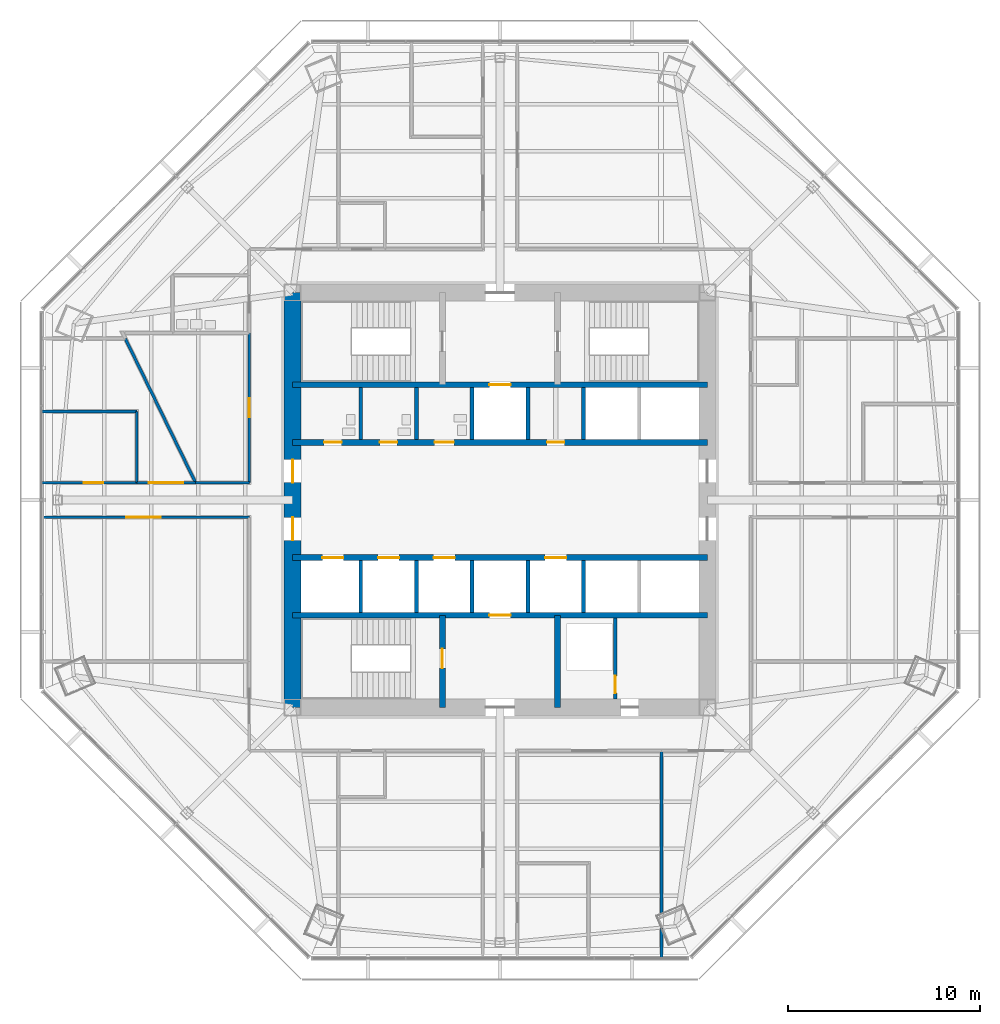
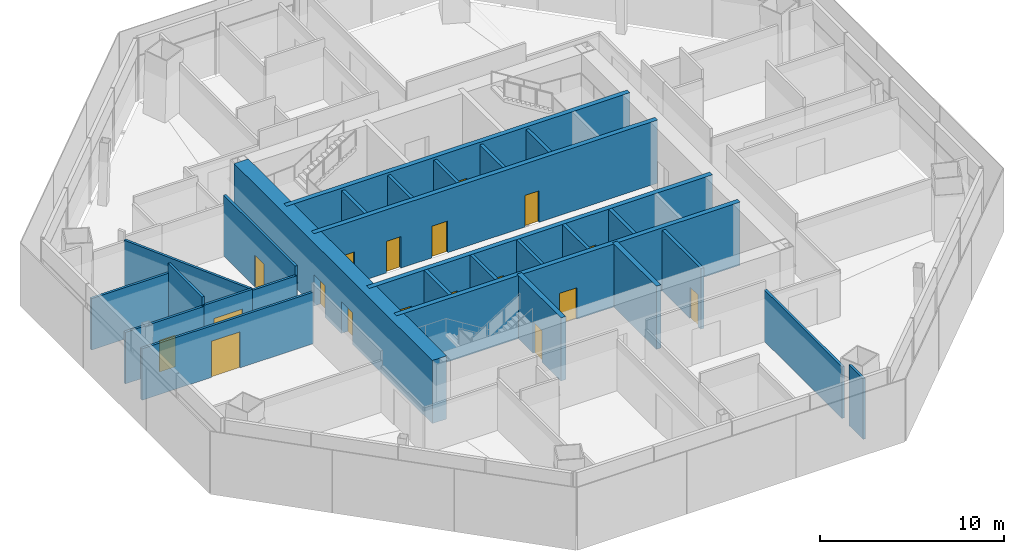
# One storey, part 9 of 14: 28 walls, 18 doors, 18 openings.
"""IFC4 building model written with IfcOpenShell, lengths in metres."""

from ifc_helpers import new_model, si_unit, direction, frame, frame_2d, origin, place, context, subcontext, project, spatial, rectangle, extrude, material, layer, layer_set, type_object, element, fill, save


model = new_model("IFC4")

# Units and contexts
model_context = context("Model", 3, precision=1e-05, world=origin(), true_north=direction((0.0, 1.0)))
body_context = subcontext(model_context, "Body", "Model", "MODEL_VIEW")
ifc_project = project(units=[si_unit("LENGTHUNIT", "METRE"), si_unit("AREAUNIT", "SQUARE_METRE"), si_unit("VOLUMEUNIT", "CUBIC_METRE"), si_unit("PLANEANGLEUNIT", "RADIAN"), si_unit("MASSUNIT", "GRAM", prefix="KILO")], contexts=[model_context])

# Site, building, storey
site_placement = place(None, origin())
site = spatial("IfcSite", under=ifc_project, at=site_placement, CompositionType="ELEMENT")
building_placement = place(site_placement, origin())
building = spatial("IfcBuilding", under=site, at=building_placement, Name="Mashrafa Tower", CompositionType="ELEMENT")
storey_placement = place(building_placement, frame((0.0, 0.0, 147.0)))
storey = spatial("IfcBuildingStorey", under=building, at=storey_placement, Name="L33", CompositionType="ELEMENT", Elevation=147.0)

# Wall, opening, door
ifc_material_1 = material(Name="Concrete masonry unit", Category="masonry")
ifc_layer_1 = layer(ifc_material_1, 0.199951171875)
ifc_layer_set_1 = layer_set([ifc_layer_1], Name="Blockwork wall 200 2 hr")
wall_type_1 = type_object("IfcWallType", Name="Blockwork wall 200 2 hr", PredefinedType="PARTITIONING", material=ifc_layer_set_1)
wall_1_placement = place(storey_placement, frame((6.0, -10.35009765625, 0.0), z_axis=(0.0, 0.0, 1.0), x_axis=(0.0, 1.0, 0.0)))
wall_1 = element("IfcWall", 1, at=wall_1_placement, inside=storey, type_object=wall_type_1, Name="Riser enclosure wall L33", PredefinedType="PARTITIONING", context=body_context, shape_type="SweptSolid", body=[
    extrude(rectangle(XDim=4.2001953125, YDim=0.199951171875, at=frame_2d((2.10009765625, 0.0))), origin(), (0.0, 0.0, 1.0), 4.034912109375),
])
opening_1_placement = place(wall_1_placement, frame((0.300048828125, 0.0, 0.0)))
opening_1 = element("IfcOpeningElement", 2, at=opening_1_placement, cuts=wall_1, Name="Opening 33.032", PredefinedType="OPENING", context=body_context, shape_type="SweptSolid", body=[
    extrude(rectangle(XDim=0.89990234375, YDim=2.10009765625, at=frame_2d((0.449951171875, 1.050048828125))), frame((0.0, 0.10986328125, 0.0), z_axis=(0.0, -1.0, 0.0), x_axis=(1.0, 0.0, 0.0)), (0.0, 0.0, 1.0), 0.219970703125),
])
ifc_material_2 = material(Name="Steel door", Category="steel")
door_type_1 = type_object("IfcDoorType", Name="Service door 900 x 2100 90 min", OperationType="USERDEFINED", PredefinedType="DOOR", material=ifc_material_2)
door_1_placement = place(opening_1_placement, origin())
door_1 = element("IfcDoor", 3, at=door_1_placement, inside=storey, type_object=door_type_1, Name="Riser door L33", OperationType="SINGLE_SWING_LEFT", OverallHeight=2.10009765625, OverallWidth=0.89990234375, PredefinedType="DOOR", context=body_context, shape_type="SweptSolid", body=[
    extrude(rectangle(XDim=0.89990234375, YDim=2.10009765625, at=frame_2d((0.449951171875, 1.050048828125))), frame((0.0, 0.02490234375, 0.0), z_axis=(0.0, -1.0, 0.0), x_axis=(1.0, 0.0, 0.0)), (0.0, 0.0, 1.0), 0.050048828125),
])
fill(opening_1, door_1)

# Wall, openings, doors
ifc_material_3 = material(Name="Concrete C60/75", Category="concrete")
ifc_layer_2 = layer(ifc_material_3, 0.300048828125)
ifc_layer_set_2 = layer_set([ifc_layer_2], Name="Core wall 300 C60/75")
wall_type_2 = type_object("IfcWallType", Name="Core wall 300 C60/75", PredefinedType="SOLIDWALL", material=ifc_layer_set_2)
wall_2_placement = place(storey_placement, frame((-10.800048828125, 3.0, 0.0), z_axis=(0.0, 0.0, 1.0), x_axis=(1.0, 0.0, 0.0)))
wall_2 = element("IfcWall", 4, at=wall_2_placement, inside=storey, type_object=wall_type_2, Name="Core wall CH-N L33", PredefinedType="SOLIDWALL", context=body_context, shape_type="SweptSolid", body=[
    extrude(rectangle(XDim=21.60009765625, YDim=0.300048828125, at=frame_2d((10.800048828125, 0.0))), origin(), (0.0, 0.0, 1.0), 4.199951171875),
])
opening_2_placement = place(wall_2_placement, frame((1.64990234375, 0.0, 0.0)))
opening_2 = element("IfcOpeningElement", 5, at=opening_2_placement, cuts=wall_2, Name="Opening 33.033", PredefinedType="OPENING", context=body_context, shape_type="SweptSolid", body=[
    extrude(rectangle(XDim=0.89990234375, YDim=2.10009765625, at=frame_2d((0.449951171875, 1.050048828125))), frame((0.0, 0.159912109375, 0.0), z_axis=(0.0, -1.0, 0.0), x_axis=(1.0, 0.0, 0.0)), (0.0, 0.0, 1.0), 0.320068359375),
])
opening_3_placement = place(wall_2_placement, frame((4.550048828125, 0.0, 0.0)))
opening_3 = element("IfcOpeningElement", 6, at=opening_3_placement, cuts=wall_2, Name="Opening 33.034", PredefinedType="OPENING", context=body_context, shape_type="SweptSolid", body=[
    extrude(rectangle(XDim=0.89990234375, YDim=2.10009765625, at=frame_2d((0.449951171875, 1.050048828125))), frame((0.0, 0.159912109375, 0.0), z_axis=(0.0, -1.0, 0.0), x_axis=(1.0, 0.0, 0.0)), (0.0, 0.0, 1.0), 0.320068359375),
])
opening_4_placement = place(wall_2_placement, frame((7.39990234375, 0.0, 0.0)))
opening_4 = element("IfcOpeningElement", 7, at=opening_4_placement, cuts=wall_2, Name="Opening 33.035", PredefinedType="OPENING", context=body_context, shape_type="SweptSolid", body=[
    extrude(rectangle(XDim=1.0, YDim=2.10009765625, at=frame_2d((0.5, 1.050048828125))), frame((0.0, 0.159912109375, 0.0), z_axis=(0.0, -1.0, 0.0), x_axis=(1.0, 0.0, 0.0)), (0.0, 0.0, 1.0), 0.320068359375),
])
opening_5_placement = place(wall_2_placement, frame((13.25, 0.0, 0.0)))
opening_5 = element("IfcOpeningElement", 8, at=opening_5_placement, cuts=wall_2, Name="Opening 33.036", PredefinedType="OPENING", context=body_context, shape_type="SweptSolid", body=[
    extrude(rectangle(XDim=0.89990234375, YDim=2.10009765625, at=frame_2d((0.449951171875, 1.050048828125))), frame((0.0, 0.159912109375, 0.0), z_axis=(0.0, -1.0, 0.0), x_axis=(1.0, 0.0, 0.0)), (0.0, 0.0, 1.0), 0.320068359375),
])
ifc_material_4 = material(Name="Timber door", Category="wood")
door_type_2 = type_object("IfcDoorType", Name="Accessible toilet door 1000 x 2100", OperationType="USERDEFINED", PredefinedType="DOOR", material=ifc_material_4)
door_2_placement = place(opening_4_placement, origin())
door_2 = element("IfcDoor", 9, at=door_2_placement, inside=storey, type_object=door_type_2, Name="Accessible WC L33 door", OperationType="SINGLE_SWING_LEFT", OverallHeight=2.10009765625, OverallWidth=1.0, PredefinedType="DOOR", context=body_context, shape_type="SweptSolid", body=[
    extrude(rectangle(XDim=1.0, YDim=2.10009765625, at=frame_2d((0.5, 1.050048828125))), frame((0.0, 0.02490234375, 0.0), z_axis=(0.0, -1.0, 0.0), x_axis=(1.0, 0.0, 0.0)), (0.0, 0.0, 1.0), 0.050048828125),
])
fill(opening_4, door_2)
ifc_material_5 = material(Name="Timber door", Category="wood")
door_type_3 = type_object("IfcDoorType", Name="Store door 900 x 2100", OperationType="USERDEFINED", PredefinedType="DOOR", material=ifc_material_5)
door_3_placement = place(opening_5_placement, origin())
door_3 = element("IfcDoor", 10, at=door_3_placement, inside=storey, type_object=door_type_3, Name="Cleaner's Store L33 door", OperationType="SINGLE_SWING_LEFT", OverallHeight=2.10009765625, OverallWidth=0.89990234375, PredefinedType="DOOR", context=body_context, shape_type="SweptSolid", body=[
    extrude(rectangle(XDim=0.89990234375, YDim=2.10009765625, at=frame_2d((0.449951171875, 1.050048828125))), frame((0.0, 0.02490234375, 0.0), z_axis=(0.0, -1.0, 0.0), x_axis=(1.0, 0.0, 0.0)), (0.0, 0.0, 1.0), 0.050048828125),
])
fill(opening_5, door_3)
ifc_material_6 = material(Name="Timber door", Category="wood")
door_type_4 = type_object("IfcDoorType", Name="Toilet door 900 x 2100", OperationType="USERDEFINED", PredefinedType="DOOR", material=ifc_material_6)
door_4_placement = place(opening_2_placement, origin())
door_4 = element("IfcDoor", 11, at=door_4_placement, inside=storey, type_object=door_type_4, Name="WC Male L33 door", OperationType="SINGLE_SWING_RIGHT", OverallHeight=2.10009765625, OverallWidth=0.89990234375, PredefinedType="DOOR", context=body_context, shape_type="SweptSolid", body=[
    extrude(rectangle(XDim=0.89990234375, YDim=2.10009765625, at=frame_2d((0.449951171875, 1.050048828125))), frame((0.0, 0.02490234375, 0.0), z_axis=(0.0, -1.0, 0.0), x_axis=(1.0, 0.0, 0.0)), (0.0, 0.0, 1.0), 0.050048828125),
])
fill(opening_2, door_4)
door_5_placement = place(opening_3_placement, origin())
door_5 = element("IfcDoor", 12, at=door_5_placement, inside=storey, type_object=door_type_4, Name="WC Female L33 door", OperationType="SINGLE_SWING_LEFT", OverallHeight=2.10009765625, OverallWidth=0.89990234375, PredefinedType="DOOR", context=body_context, shape_type="SweptSolid", body=[
    extrude(rectangle(XDim=0.89990234375, YDim=2.10009765625, at=frame_2d((0.449951171875, 1.050048828125))), frame((0.0, 0.02490234375, 0.0), z_axis=(0.0, -1.0, 0.0), x_axis=(1.0, 0.0, 0.0)), (0.0, 0.0, 1.0), 0.050048828125),
])
fill(opening_3, door_5)

# Wall, opening, door
wall_3_placement = place(storey_placement, frame((-10.800048828125, 6.0, 0.0), z_axis=(0.0, 0.0, 1.0), x_axis=(1.0, 0.0, 0.0)))
wall_3 = element("IfcWall", 13, at=wall_3_placement, inside=storey, type_object=wall_type_2, Name="Core wall CB-N L33", PredefinedType="SOLIDWALL", context=body_context, shape_type="SweptSolid", body=[
    extrude(rectangle(XDim=21.60009765625, YDim=0.300048828125, at=frame_2d((10.800048828125, 0.0))), origin(), (0.0, 0.0, 1.0), 4.199951171875),
])
opening_6_placement = place(wall_3_placement, frame((10.25, 0.0, 0.0)))
opening_6 = element("IfcOpeningElement", 14, at=opening_6_placement, cuts=wall_3, Name="Opening 33.F1", PredefinedType="OPENING", context=body_context, shape_type="SweptSolid", body=[
    extrude(rectangle(XDim=1.10009765625, YDim=2.10009765625, at=frame_2d((0.550048828125, 1.050048828125))), frame((0.0, 0.159912109375, 0.0), z_axis=(0.0, -1.0, 0.0), x_axis=(1.0, 0.0, 0.0)), (0.0, 0.0, 1.0), 0.320068359375),
])
ifc_material_7 = material(Name="Steel door", Category="steel")
door_type_5 = type_object("IfcDoorType", Name="Lift landing door 1100 x 2100 90 min", OperationType="DOUBLE_DOOR_SLIDING", PredefinedType="DOOR", material=ifc_material_7)
door_6_placement = place(opening_6_placement, origin())
door_6 = element("IfcDoor", 15, at=door_6_placement, inside=storey, type_object=door_type_5, Name="Lift landing door F1 L33", OperationType="DOUBLE_DOOR_SLIDING", OverallHeight=2.10009765625, OverallWidth=1.10009765625, PredefinedType="DOOR", context=body_context, shape_type="SweptSolid", body=[
    extrude(rectangle(XDim=1.10009765625, YDim=2.10009765625, at=frame_2d((0.550048828125, 1.050048828125))), frame((0.0, 0.02490234375, 0.0), z_axis=(0.0, -1.0, 0.0), x_axis=(1.0, 0.0, 0.0)), (0.0, 0.0, 1.0), 0.050048828125),
])
fill(opening_6, door_6)

# Wall, openings, doors
wall_4_placement = place(storey_placement, frame((-10.800048828125, -3.0, 0.0), z_axis=(0.0, 0.0, 1.0), x_axis=(1.0, 0.0, 0.0)))
wall_4 = element("IfcWall", 16, at=wall_4_placement, inside=storey, type_object=wall_type_2, Name="Core wall CH-S L33", PredefinedType="SOLIDWALL", context=body_context, shape_type="SweptSolid", body=[
    extrude(rectangle(XDim=21.60009765625, YDim=0.300048828125, at=frame_2d((10.800048828125, 0.0))), origin(), (0.0, 0.0, 1.0), 4.199951171875),
])
opening_7_placement = place(wall_4_placement, frame((1.550048828125, 0.0, 0.0)))
opening_7 = element("IfcOpeningElement", 17, at=opening_7_placement, cuts=wall_4, Name="Opening 33.B1", PredefinedType="OPENING", context=body_context, shape_type="SweptSolid", body=[
    extrude(rectangle(XDim=1.10009765625, YDim=2.10009765625, at=frame_2d((0.550048828125, 1.050048828125))), frame((0.0, 0.159912109375, 0.0), z_axis=(0.0, -1.0, 0.0), x_axis=(1.0, 0.0, 0.0)), (0.0, 0.0, 1.0), 0.320068359375),
])
opening_8_placement = place(wall_4_placement, frame((4.449951171875, 0.0, 0.0)))
opening_8 = element("IfcOpeningElement", 18, at=opening_8_placement, cuts=wall_4, Name="Opening 33.B2", PredefinedType="OPENING", context=body_context, shape_type="SweptSolid", body=[
    extrude(rectangle(XDim=1.10009765625, YDim=2.10009765625, at=frame_2d((0.550048828125, 1.050048828125))), frame((0.0, 0.159912109375, 0.0), z_axis=(0.0, -1.0, 0.0), x_axis=(1.0, 0.0, 0.0)), (0.0, 0.0, 1.0), 0.320068359375),
])
opening_9_placement = place(wall_4_placement, frame((7.35009765625, 0.0, 0.0)))
opening_9 = element("IfcOpeningElement", 19, at=opening_9_placement, cuts=wall_4, Name="Opening 33.B3", PredefinedType="OPENING", context=body_context, shape_type="SweptSolid", body=[
    extrude(rectangle(XDim=1.10009765625, YDim=2.10009765625, at=frame_2d((0.550048828125, 1.050048828125))), frame((0.0, 0.159912109375, 0.0), z_axis=(0.0, -1.0, 0.0), x_axis=(1.0, 0.0, 0.0)), (0.0, 0.0, 1.0), 0.320068359375),
])
opening_10_placement = place(wall_4_placement, frame((13.14990234375, 0.0, 0.0)))
opening_10 = element("IfcOpeningElement", 20, at=opening_10_placement, cuts=wall_4, Name="Opening 33.B4", PredefinedType="OPENING", context=body_context, shape_type="SweptSolid", body=[
    extrude(rectangle(XDim=1.10009765625, YDim=2.10009765625, at=frame_2d((0.550048828125, 1.050048828125))), frame((0.0, 0.159912109375, 0.0), z_axis=(0.0, -1.0, 0.0), x_axis=(1.0, 0.0, 0.0)), (0.0, 0.0, 1.0), 0.320068359375),
])
door_7_placement = place(opening_7_placement, origin())
door_7 = element("IfcDoor", 21, at=door_7_placement, inside=storey, type_object=door_type_5, Name="Lift landing door B1 L33", OperationType="DOUBLE_DOOR_SLIDING", OverallHeight=2.10009765625, OverallWidth=1.10009765625, PredefinedType="DOOR", context=body_context, shape_type="SweptSolid", body=[
    extrude(rectangle(XDim=1.10009765625, YDim=2.10009765625, at=frame_2d((0.550048828125, 1.050048828125))), frame((0.0, 0.02490234375, 0.0), z_axis=(0.0, -1.0, 0.0), x_axis=(1.0, 0.0, 0.0)), (0.0, 0.0, 1.0), 0.050048828125),
])
fill(opening_7, door_7)
door_8_placement = place(opening_8_placement, origin())
door_8 = element("IfcDoor", 22, at=door_8_placement, inside=storey, type_object=door_type_5, Name="Lift landing door B2 L33", OperationType="DOUBLE_DOOR_SLIDING", OverallHeight=2.10009765625, OverallWidth=1.10009765625, PredefinedType="DOOR", context=body_context, shape_type="SweptSolid", body=[
    extrude(rectangle(XDim=1.10009765625, YDim=2.10009765625, at=frame_2d((0.550048828125, 1.050048828125))), frame((0.0, 0.02490234375, 0.0), z_axis=(0.0, -1.0, 0.0), x_axis=(1.0, 0.0, 0.0)), (0.0, 0.0, 1.0), 0.050048828125),
])
fill(opening_8, door_8)
door_9_placement = place(opening_9_placement, origin())
door_9 = element("IfcDoor", 23, at=door_9_placement, inside=storey, type_object=door_type_5, Name="Lift landing door B3 L33", OperationType="DOUBLE_DOOR_SLIDING", OverallHeight=2.10009765625, OverallWidth=1.10009765625, PredefinedType="DOOR", context=body_context, shape_type="SweptSolid", body=[
    extrude(rectangle(XDim=1.10009765625, YDim=2.10009765625, at=frame_2d((0.550048828125, 1.050048828125))), frame((0.0, 0.02490234375, 0.0), z_axis=(0.0, -1.0, 0.0), x_axis=(1.0, 0.0, 0.0)), (0.0, 0.0, 1.0), 0.050048828125),
])
fill(opening_9, door_9)
door_10_placement = place(opening_10_placement, origin())
door_10 = element("IfcDoor", 24, at=door_10_placement, inside=storey, type_object=door_type_5, Name="Lift landing door B4 L33", OperationType="DOUBLE_DOOR_SLIDING", OverallHeight=2.10009765625, OverallWidth=1.10009765625, PredefinedType="DOOR", context=body_context, shape_type="SweptSolid", body=[
    extrude(rectangle(XDim=1.10009765625, YDim=2.10009765625, at=frame_2d((0.550048828125, 1.050048828125))), frame((0.0, 0.02490234375, 0.0), z_axis=(0.0, -1.0, 0.0), x_axis=(1.0, 0.0, 0.0)), (0.0, 0.0, 1.0), 0.050048828125),
])
fill(opening_10, door_10)

# Wall, opening, door
wall_5_placement = place(storey_placement, frame((-10.800048828125, -6.0, 0.0), z_axis=(0.0, 0.0, 1.0), x_axis=(1.0, 0.0, 0.0)))
wall_5 = element("IfcWall", 25, at=wall_5_placement, inside=storey, type_object=wall_type_2, Name="Core wall CB-S L33", PredefinedType="SOLIDWALL", context=body_context, shape_type="SweptSolid", body=[
    extrude(rectangle(XDim=21.60009765625, YDim=0.300048828125, at=frame_2d((10.800048828125, 0.0))), origin(), (0.0, 0.0, 1.0), 4.199951171875),
])
opening_11_placement = place(wall_5_placement, frame((10.25, 0.0, 0.0)))
opening_11 = element("IfcOpeningElement", 26, at=opening_11_placement, cuts=wall_5, Name="Opening 33.F2", PredefinedType="OPENING", context=body_context, shape_type="SweptSolid", body=[
    extrude(rectangle(XDim=1.10009765625, YDim=2.10009765625, at=frame_2d((0.550048828125, 1.050048828125))), frame((0.0, 0.159912109375, 0.0), z_axis=(0.0, -1.0, 0.0), x_axis=(1.0, 0.0, 0.0)), (0.0, 0.0, 1.0), 0.320068359375),
])
door_11_placement = place(opening_11_placement, origin())
door_11 = element("IfcDoor", 27, at=door_11_placement, inside=storey, type_object=door_type_5, Name="Lift landing door F2 L33", OperationType="DOUBLE_DOOR_SLIDING", OverallHeight=2.10009765625, OverallWidth=1.10009765625, PredefinedType="DOOR", context=body_context, shape_type="SweptSolid", body=[
    extrude(rectangle(XDim=1.10009765625, YDim=2.10009765625, at=frame_2d((0.550048828125, 1.050048828125))), frame((0.0, 0.02490234375, 0.0), z_axis=(0.0, -1.0, 0.0), x_axis=(1.0, 0.0, 0.0)), (0.0, 0.0, 1.0), 0.050048828125),
])
fill(opening_11, door_11)

wall_6_placement = place(storey_placement, frame((-3.0, -6.0, 0.0), z_axis=(0.0, 0.0, 1.0), x_axis=(0.0, -1.0, 0.0)))
wall_6 = element("IfcWall", 28, at=wall_6_placement, inside=storey, type_object=wall_type_2, Name="Core wall CX-SW L33", PredefinedType="SOLIDWALL", context=body_context, shape_type="SweptSolid", body=[
    extrude(rectangle(XDim=4.800048828125, YDim=0.300048828125, at=frame_2d((2.39990234375, 0.0))), origin(), (0.0, 0.0, 1.0), 4.199951171875),
])
opening_12_placement = place(wall_6_placement, frame((1.75, 0.0, 0.0)))
opening_12 = element("IfcOpeningElement", 29, at=opening_12_placement, cuts=wall_6, Name="Opening 33.030", PredefinedType="OPENING", context=body_context, shape_type="SweptSolid", body=[
    extrude(rectangle(XDim=1.0, YDim=2.10009765625, at=frame_2d((0.5, 1.050048828125))), frame((0.0, 0.159912109375, 0.0), z_axis=(0.0, -1.0, 0.0), x_axis=(1.0, 0.0, 0.0)), (0.0, 0.0, 1.0), 0.320068359375),
])
ifc_material_8 = material(Name="Steel door", Category="steel")
door_type_6 = type_object("IfcDoorType", Name="Stair door 1000 x 2100 90 min", OperationType="USERDEFINED", PredefinedType="DOOR", material=ifc_material_8)
door_12_placement = place(opening_12_placement, frame((1.0, 0.0, 0.0), z_axis=(0.0, 0.0, 1.0), x_axis=(-1.0, 0.0, 0.0)))
door_12 = element("IfcDoor", 30, at=door_12_placement, inside=storey, type_object=door_type_6, Name="Stair S3 door L33", OperationType="SINGLE_SWING_RIGHT", OverallHeight=2.10009765625, OverallWidth=1.0, PredefinedType="DOOR", context=body_context, shape_type="SweptSolid", body=[
    extrude(rectangle(XDim=1.0, YDim=2.10009765625, at=frame_2d((0.5, 1.050048828125))), frame((0.0, 0.02490234375, 0.0), z_axis=(0.0, -1.0, 0.0), x_axis=(1.0, 0.0, 0.0)), (0.0, 0.0, 1.0), 0.050048828125),
])
fill(opening_12, door_12)

# Wall
wall_7_placement = place(storey_placement, frame((3.0, -6.0, 0.0), z_axis=(0.0, 0.0, 1.0), x_axis=(0.0, -1.0, 0.0)))
element("IfcWall", 31, at=wall_7_placement, inside=storey, type_object=wall_type_2, Name="Core wall CX-SE L33", PredefinedType="SOLIDWALL", context=body_context, shape_type="SweptSolid", body=[
    extrude(rectangle(XDim=4.800048828125, YDim=0.300048828125, at=frame_2d((2.39990234375, 0.0))), origin(), (0.0, 0.0, 1.0), 4.199951171875),
])

# Wall, openings, doors
ifc_material_9 = material(Name="Concrete C60/75", Category="concrete")
ifc_layer_3 = layer(ifc_material_9, 0.89990234375)
ifc_layer_set_3 = layer_set([ifc_layer_3], Name="Core wall 900 C60/75")
wall_type_3 = type_object("IfcWallType", Name="Core wall 900 C60/75", PredefinedType="SOLIDWALL", material=ifc_layer_set_3)
wall_8_placement = place(storey_placement, frame((-10.800048828125, 10.800048828125, 0.0), z_axis=(0.0, 0.0, 1.0), x_axis=(0.0, -1.0, 0.0)))
wall_8 = element("IfcWall", 32, at=wall_8_placement, inside=storey, type_object=wall_type_3, Name="Core wall CW-W L33", PredefinedType="SOLIDWALL", context=body_context, shape_type="SweptSolid", body=[
    extrude(rectangle(XDim=21.60009765625, YDim=0.89990234375, at=frame_2d((10.800048828125, 0.0))), origin(), (0.0, 0.0, 1.0), 4.199951171875),
])
opening_13_placement = place(wall_8_placement, frame((8.699951171875, 0.0, 0.0)))
opening_13 = element("IfcOpeningElement", 33, at=opening_13_placement, cuts=wall_8, Name="Opening 33.023", PredefinedType="OPENING", context=body_context, shape_type="SweptSolid", body=[
    extrude(rectangle(XDim=1.199951171875, YDim=2.10009765625, at=frame_2d((0.60009765625, 1.050048828125))), frame((0.0, 0.4599609375, 0.0), z_axis=(0.0, -1.0, 0.0), x_axis=(1.0, 0.0, 0.0)), (0.0, 0.0, 1.0), 0.919921875),
])
opening_14_placement = place(wall_8_placement, frame((11.699951171875, 0.0, 0.0)))
opening_14 = element("IfcOpeningElement", 34, at=opening_14_placement, cuts=wall_8, Name="Opening 33.025", PredefinedType="OPENING", context=body_context, shape_type="SweptSolid", body=[
    extrude(rectangle(XDim=1.199951171875, YDim=2.10009765625, at=frame_2d((0.60009765625, 1.050048828125))), frame((0.0, 0.4599609375, 0.0), z_axis=(0.0, -1.0, 0.0), x_axis=(1.0, 0.0, 0.0)), (0.0, 0.0, 1.0), 0.919921875),
])
ifc_material_10 = material(Name="Steel door", Category="steel")
door_type_7 = type_object("IfcDoorType", Name="Lift hall door 1200 x 2100 90 min", OperationType="USERDEFINED", PredefinedType="DOOR", material=ifc_material_10)
door_13_placement = place(opening_13_placement, frame((1.199951171875, 0.0, 0.0), z_axis=(0.0, 0.0, 1.0), x_axis=(-1.0, 0.0, 0.0)))
door_13 = element("IfcDoor", 35, at=door_13_placement, inside=storey, type_object=door_type_7, Name="Lift hall door west L33", OperationType="SINGLE_SWING_RIGHT", OverallHeight=2.10009765625, OverallWidth=1.199951171875, PredefinedType="DOOR", context=body_context, shape_type="SweptSolid", body=[
    extrude(rectangle(XDim=1.199951171875, YDim=2.10009765625, at=frame_2d((0.60009765625, 1.050048828125))), frame((0.0, 0.02490234375, 0.0), z_axis=(0.0, -1.0, 0.0), x_axis=(1.0, 0.0, 0.0)), (0.0, 0.0, 1.0), 0.050048828125),
])
fill(opening_13, door_13)
door_14_placement = place(opening_14_placement, frame((1.199951171875, 0.0, 0.0), z_axis=(0.0, 0.0, 1.0), x_axis=(-1.0, 0.0, 0.0)))
door_14 = element("IfcDoor", 36, at=door_14_placement, inside=storey, type_object=door_type_7, Name="Lift hall door west L33", OperationType="SINGLE_SWING_LEFT", OverallHeight=2.10009765625, OverallWidth=1.199951171875, PredefinedType="DOOR", context=body_context, shape_type="SweptSolid", body=[
    extrude(rectangle(XDim=1.199951171875, YDim=2.10009765625, at=frame_2d((0.60009765625, 1.050048828125))), frame((0.0, 0.02490234375, 0.0), z_axis=(0.0, -1.0, 0.0), x_axis=(1.0, 0.0, 0.0)), (0.0, 0.0, 1.0), 0.050048828125),
])
fill(opening_14, door_14)

# Wall, opening, door
ifc_material_11 = material(Name="Gypsum board on steel studs", Category="steel")
ifc_layer_4 = layer(ifc_material_11, 0.14990234375)
ifc_layer_set_4 = layer_set([ifc_layer_4], Name="Corridor partition 150 1 hr")
wall_type_4 = type_object("IfcWallType", Name="Corridor partition 150 1 hr", PredefinedType="PARTITIONING", material=ifc_layer_set_4)
wall_9_placement = place(storey_placement, frame((-13.050048828125, 8.700927734375, 0.0), z_axis=(0.0, 0.0, 1.0), x_axis=(0.0, -1.0, 0.0)))
wall_9 = element("IfcWall", 37, at=wall_9_placement, inside=storey, type_object=wall_type_4, Name="Corridor wall L33-001", PredefinedType="PARTITIONING", context=body_context, shape_type="SweptSolid", body=[
    extrude(rectangle(XDim=7.801025390625, YDim=0.14990234375, at=frame_2d((3.900390625, 0.0))), origin(), (0.0, 0.0, 1.0), 4.034912109375),
])
opening_15_placement = place(wall_9_placement, frame((3.400390625, 0.0, 0.0)))
opening_15 = element("IfcOpeningElement", 38, at=opening_15_placement, cuts=wall_9, Name="Opening 33.001", PredefinedType="OPENING", context=body_context, shape_type="SweptSolid", body=[
    extrude(rectangle(XDim=1.0, YDim=2.10009765625, at=frame_2d((0.5, 1.050048828125))), frame((0.0, 0.0849609375, 0.0), z_axis=(0.0, -1.0, 0.0), x_axis=(1.0, 0.0, 0.0)), (0.0, 0.0, 1.0), 0.169921875),
])
ifc_material_12 = material(Name="Timber door", Category="wood")
door_type_8 = type_object("IfcDoorType", Name="Door 1000 x 2100", OperationType="USERDEFINED", PredefinedType="DOOR", material=ifc_material_12)
door_15_placement = place(opening_15_placement, frame((1.0, 0.0, 0.0), z_axis=(0.0, 0.0, 1.0), x_axis=(-1.0, 0.0, 0.0)))
door_15 = element("IfcDoor", 39, at=door_15_placement, inside=storey, type_object=door_type_8, Name="Musallah Prayer Room 33 door", OperationType="SINGLE_SWING_LEFT", OverallHeight=2.10009765625, OverallWidth=1.0, PredefinedType="DOOR", context=body_context, shape_type="SweptSolid", body=[
    extrude(rectangle(XDim=1.0, YDim=2.10009765625, at=frame_2d((0.5, 1.050048828125))), frame((0.0, 0.02490234375, 0.0), z_axis=(0.0, -1.0, 0.0), x_axis=(1.0, 0.0, 0.0)), (0.0, 0.0, 1.0), 0.050048828125),
])
fill(opening_15, door_15)

# Wall
wall_10_placement = place(storey_placement, frame((-13.050048828125, 0.89990234375, 0.0), z_axis=(0.0, 0.0, 1.0), x_axis=(-1.0, 0.0, 0.0)))
element("IfcWall", 40, at=wall_10_placement, inside=storey, type_object=wall_type_4, Name="Corridor wall L33-002", PredefinedType="PARTITIONING", context=body_context, shape_type="SweptSolid", body=[
    extrude(rectangle(XDim=2.796630859375, YDim=0.14990234375, at=frame_2d((1.3984375, 0.0))), origin(), (0.0, 0.0, 1.0), 3.425537109375),
])

# Wall, opening, door
wall_11_placement = place(storey_placement, frame((-18.9052734375, 0.89990234375, 0.0), z_axis=(0.0, 0.0, 1.0), x_axis=(-1.0, 0.0, 0.0)))
wall_11 = element("IfcWall", 41, at=wall_11_placement, inside=storey, type_object=wall_type_4, Name="Corridor wall L33-007", PredefinedType="PARTITIONING", context=body_context, shape_type="SweptSolid", body=[
    extrude(rectangle(XDim=4.93505859375, YDim=0.14990234375, at=frame_2d((2.467529296875, 0.0))), origin(), (0.0, 0.0, 1.0), 3.425537109375),
])
opening_16_placement = place(wall_11_placement, frame((1.75048828125, 0.0, 0.0)))
opening_16 = element("IfcOpeningElement", 42, at=opening_16_placement, cuts=wall_11, Name="Opening 33.006", PredefinedType="OPENING", context=body_context, shape_type="SweptSolid", body=[
    extrude(rectangle(XDim=1.0, YDim=2.10009765625, at=frame_2d((0.5, 1.050048828125))), frame((0.0, 0.0849609375, 0.0), z_axis=(0.0, -1.0, 0.0), x_axis=(1.0, 0.0, 0.0)), (0.0, 0.0, 1.0), 0.169921875),
])
door_16_placement = place(opening_16_placement, frame((1.0, 0.0, 0.0), z_axis=(0.0, 0.0, 1.0), x_axis=(-1.0, 0.0, 0.0)))
door_16 = element("IfcDoor", 43, at=door_16_placement, inside=storey, type_object=door_type_8, Name="Meeting Room 33-W door", OperationType="SINGLE_SWING_RIGHT", OverallHeight=2.10009765625, OverallWidth=1.0, PredefinedType="DOOR", context=body_context, shape_type="SweptSolid", body=[
    extrude(rectangle(XDim=1.0, YDim=2.10009765625, at=frame_2d((0.5, 1.050048828125))), frame((0.0, 0.02490234375, 0.0), z_axis=(0.0, -1.0, 0.0), x_axis=(1.0, 0.0, 0.0)), (0.0, 0.0, 1.0), 0.050048828125),
])
fill(opening_16, door_16)

wall_12_placement = place(storey_placement, frame((-15.844482421875, 0.89990234375, 0.0), z_axis=(0.0, 0.0, 1.0), x_axis=(-1.0, 0.0, 0.0)))
wall_12 = element("IfcWall", 44, at=wall_12_placement, inside=storey, type_object=wall_type_4, Name="Corridor wall L33-019", PredefinedType="PARTITIONING", context=body_context, shape_type="SweptSolid", body=[
    extrude(rectangle(XDim=3.062744140625, YDim=0.14990234375, at=frame_2d((1.53125, 0.0))), origin(), (0.0, 0.0, 1.0), 3.499267578125),
])
opening_17_placement = place(wall_12_placement, frame((0.63134765625, 0.0, 0.0)))
opening_17 = element("IfcOpeningElement", 45, at=opening_17_placement, cuts=wall_12, Name="Opening 33.014", PredefinedType="OPENING", context=body_context, shape_type="SweptSolid", body=[
    extrude(rectangle(XDim=1.800048828125, YDim=2.39990234375, at=frame_2d((0.89990234375, 1.199951171875))), frame((0.0, 0.0849609375, 0.0), z_axis=(0.0, -1.0, 0.0), x_axis=(1.0, 0.0, 0.0)), (0.0, 0.0, 1.0), 0.169921875),
])
ifc_material_13 = material(Name="Timber door", Category="wood")
door_type_9 = type_object("IfcDoorType", Name="Door pair 1800 x 2400", OperationType="DOUBLE_DOOR_SINGLE_SWING", PredefinedType="DOOR", material=ifc_material_13)
door_17_placement = place(opening_17_placement, frame((1.800048828125, 0.0, 0.0), z_axis=(0.0, 0.0, 1.0), x_axis=(-1.0, 0.0, 0.0)))
door_17 = element("IfcDoor", 46, at=door_17_placement, inside=storey, type_object=door_type_9, Name="Office Suite 33-NW21 door", OperationType="DOUBLE_DOOR_SINGLE_SWING", OverallHeight=2.39990234375, OverallWidth=1.800048828125, PredefinedType="DOOR", context=body_context, shape_type="SweptSolid", body=[
    extrude(rectangle(XDim=1.800048828125, YDim=2.39990234375, at=frame_2d((0.89990234375, 1.199951171875))), frame((0.0, 0.02490234375, 0.0), z_axis=(0.0, -1.0, 0.0), x_axis=(1.0, 0.0, 0.0)), (0.0, 0.0, 1.0), 0.050048828125),
])
fill(opening_17, door_17)

wall_13_placement = place(storey_placement, frame((-23.84033203125, -0.89990234375, 0.0), z_axis=(0.0, 0.0, 1.0), x_axis=(1.0, 0.0, 0.0)))
wall_13 = element("IfcWall", 47, at=wall_13_placement, inside=storey, type_object=wall_type_4, Name="Corridor wall L33-024", PredefinedType="PARTITIONING", context=body_context, shape_type="SweptSolid", body=[
    extrude(rectangle(XDim=10.790283203125, YDim=0.14990234375, at=frame_2d((5.39501953125, 0.0))), origin(), (0.0, 0.0, 1.0), 3.425537109375),
])
opening_18_placement = place(wall_13_placement, frame((4.377197265625, 0.0, 0.0)))
opening_18 = element("IfcOpeningElement", 48, at=opening_18_placement, cuts=wall_13, Name="Opening 33.017", PredefinedType="OPENING", context=body_context, shape_type="SweptSolid", body=[
    extrude(rectangle(XDim=1.800048828125, YDim=2.39990234375, at=frame_2d((0.89990234375, 1.199951171875))), frame((0.0, 0.0849609375, 0.0), z_axis=(0.0, -1.0, 0.0), x_axis=(1.0, 0.0, 0.0)), (0.0, 0.0, 1.0), 0.169921875),
])
door_18_placement = place(opening_18_placement, frame((1.800048828125, 0.0, 0.0), z_axis=(0.0, 0.0, 1.0), x_axis=(-1.0, 0.0, 0.0)))
door_18 = element("IfcDoor", 49, at=door_18_placement, inside=storey, type_object=door_type_9, Name="Office Suite 33-SW21 door", OperationType="DOUBLE_DOOR_SINGLE_SWING", OverallHeight=2.39990234375, OverallWidth=1.800048828125, PredefinedType="DOOR", context=body_context, shape_type="SweptSolid", body=[
    extrude(rectangle(XDim=1.800048828125, YDim=2.39990234375, at=frame_2d((0.89990234375, 1.199951171875))), frame((0.0, 0.02490234375, 0.0), z_axis=(0.0, -1.0, 0.0), x_axis=(1.0, 0.0, 0.0)), (0.0, 0.0, 1.0), 0.050048828125),
])
fill(opening_18, door_18)

# Walls
ifc_material_14 = material(Name="Gypsum board on steel studs", Category="steel")
ifc_layer_5 = layer(ifc_material_14, 0.14990234375)
ifc_layer_set_5 = layer_set([ifc_layer_5], Name="Partition 150")
wall_type_5 = type_object("IfcWallType", Name="Partition 150", PredefinedType="PARTITIONING", material=ifc_layer_set_5)
wall_14_placement = place(storey_placement, frame((-19.5029296875, 8.398193359375, 0.0), z_axis=(0.0, 0.0, 1.0), x_axis=(0.438377506249, -0.898790944555, 0.0)))
element("IfcWall", 50, at=wall_14_placement, inside=storey, type_object=wall_type_5, Name="Partition wall L33-035", PredefinedType="PARTITIONING", context=body_context, shape_type="SweptSolid", body=[
    extrude(rectangle(XDim=8.342529296875, YDim=0.14990234375, at=frame_2d((4.17138671875, 0.0))), origin(), (0.0, 0.0, 1.0), 3.499267578125),
])
wall_15_placement = place(storey_placement, frame((-18.90625, 0.89990234375, 0.0), z_axis=(0.0, 0.0, 1.0), x_axis=(0.0, 1.0, 0.0)))
element("IfcWall", 51, at=wall_15_placement, inside=storey, type_object=wall_type_5, Name="Partition wall L33-046", PredefinedType="PARTITIONING", context=body_context, shape_type="SweptSolid", body=[
    extrude(rectangle(XDim=3.7001953125, YDim=0.14990234375, at=frame_2d((1.85009765625, 0.0))), origin(), (0.0, 0.0, 1.0), 4.034912109375),
])
wall_16_placement = place(storey_placement, frame((-18.90625, 4.60009765625, 0.0), z_axis=(0.0, 0.0, 1.0), x_axis=(-1.0, 0.0, 0.0)))
element("IfcWall", 52, at=wall_16_placement, inside=storey, type_object=wall_type_5, Name="Partition wall L33-047", PredefinedType="PARTITIONING", context=body_context, shape_type="SweptSolid", body=[
    extrude(rectangle(XDim=4.93212890625, YDim=0.14990234375, at=frame_2d((2.466064453125, 0.0))), origin(), (0.0, 0.0, 1.0), 3.425537109375),
])
wall_17_placement = place(storey_placement, frame((8.39990234375, -23.83837890625, 0.0), z_axis=(0.0, 0.0, 1.0), x_axis=(0.0, 1.0, 0.0)))
element("IfcWall", 53, at=wall_17_placement, inside=storey, type_object=wall_type_5, Name="Partition wall L33-067", PredefinedType="PARTITIONING", context=body_context, shape_type="SweptSolid", body=[
    extrude(rectangle(XDim=1.549560546875, YDim=0.14990234375, at=frame_2d((0.77490234375, 0.0))), origin(), (0.0, 0.0, 1.0), 4.034912109375),
])
wall_18_placement = place(storey_placement, frame((8.39990234375, -21.531982421875, 0.0), z_axis=(0.0, 0.0, 1.0), x_axis=(0.0, 1.0, 0.0)))
element("IfcWall", 54, at=wall_18_placement, inside=storey, type_object=wall_type_5, Name="Partition wall L33-068", PredefinedType="PARTITIONING", context=body_context, shape_type="SweptSolid", body=[
    extrude(rectangle(XDim=8.48193359375, YDim=0.14990234375, at=frame_2d((4.240966796875, 0.0))), origin(), (0.0, 0.0, 1.0), 3.425537109375),
])
ifc_material_15 = material(Name="Gypsum shaft wall on steel studs", Category="steel")
ifc_layer_6 = layer(ifc_material_15, 0.199951171875)
ifc_layer_set_6 = layer_set([ifc_layer_6], Name="Shaft divider wall 200 2 hr")
wall_type_6 = type_object("IfcWallType", Name="Shaft divider wall 200 2 hr", PredefinedType="PARTITIONING", material=ifc_layer_set_6)
for number, where, z_axis, x_axis, name in (
    (55, (-7.25, 3.14990234375, 0.0), (0.0, 0.0, 1.0), (0.0, 1.0, 0.0), "Shaft divider wall N1 L33"),
    (56, (-4.35009765625, 3.14990234375, 0.0), (0.0, 0.0, 1.0), (0.0, 1.0, 0.0), "Shaft divider wall N2 L33"),
    (57, (-1.449951171875, 3.14990234375, 0.0), (0.0, 0.0, 1.0), (0.0, 1.0, 0.0), "Shaft divider wall N3 L33"),
    (58, (1.449951171875, 3.14990234375, 0.0), (0.0, 0.0, 1.0), (0.0, 1.0, 0.0), "Shaft divider wall N4 L33"),
    (59, (4.35009765625, 3.14990234375, 0.0), (0.0, 0.0, 1.0), (0.0, 1.0, 0.0), "Shaft divider wall N5 L33"),
):
    element("IfcWall", number, at=place(storey_placement, frame(where, z_axis=z_axis, x_axis=x_axis)), inside=storey, type_object=wall_type_6, Name=name, PredefinedType="PARTITIONING", context=body_context, shape_type="SweptSolid", body=[
        extrude(rectangle(XDim=2.7001953125, YDim=0.199951171875, at=frame_2d((1.35009765625, 0.0))), origin(), (0.0, 0.0, 1.0), 4.034912109375),
    ])
for number, where, z_axis, x_axis, name in (
    (60, (-7.25, -5.85009765625, 0.0), (0.0, 0.0, 1.0), (0.0, 1.0, 0.0), "Shaft divider wall S1 L33"),
    (61, (-4.35009765625, -5.85009765625, 0.0), (0.0, 0.0, 1.0), (0.0, 1.0, 0.0), "Shaft divider wall S2 L33"),
    (62, (-1.449951171875, -5.85009765625, 0.0), (0.0, 0.0, 1.0), (0.0, 1.0, 0.0), "Shaft divider wall S3 L33"),
    (63, (1.449951171875, -5.85009765625, 0.0), (0.0, 0.0, 1.0), (0.0, 1.0, 0.0), "Shaft divider wall S4 L33"),
    (64, (4.35009765625, -5.85009765625, 0.0), (0.0, 0.0, 1.0), (0.0, 1.0, 0.0), "Shaft divider wall S5 L33"),
):
    element("IfcWall", number, at=place(storey_placement, frame(where, z_axis=z_axis, x_axis=x_axis)), inside=storey, type_object=wall_type_6, Name=name, PredefinedType="PARTITIONING", context=body_context, shape_type="SweptSolid", body=[
        extrude(rectangle(XDim=2.7001953125, YDim=0.199951171875, at=frame_2d((1.35009765625, 0.0))), origin(), (0.0, 0.0, 1.0), 4.199951171875),
    ])

save(model, "model.ifc")
